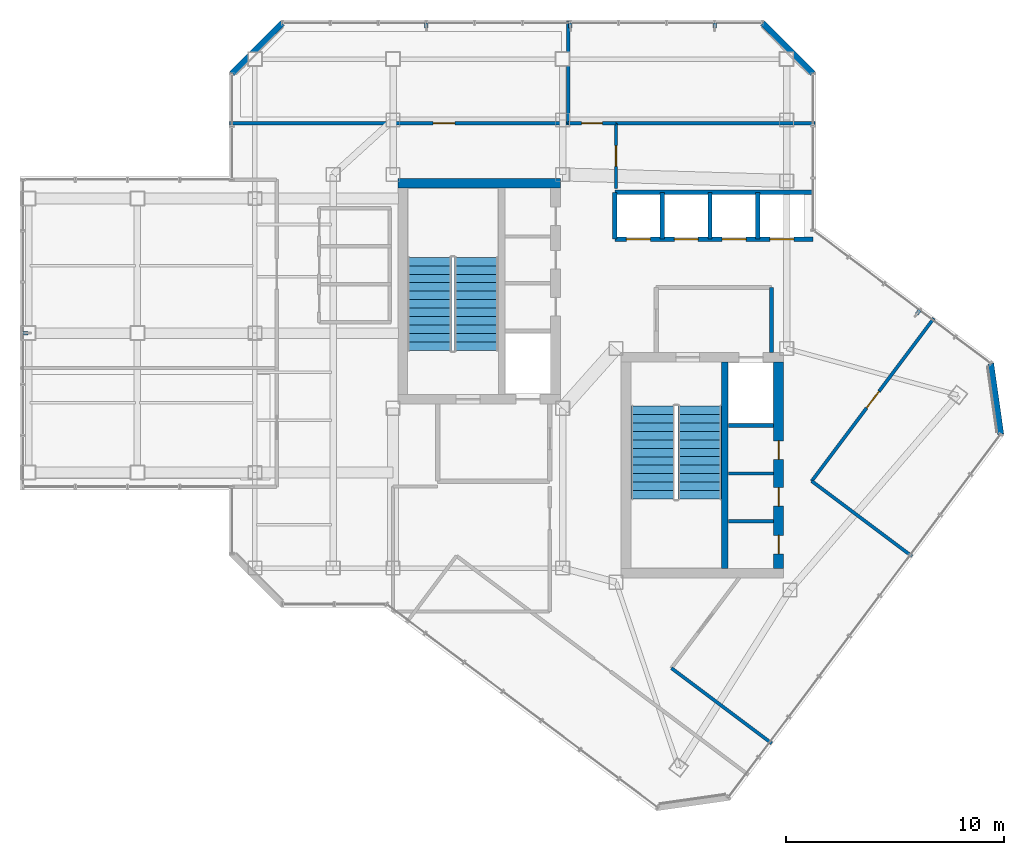
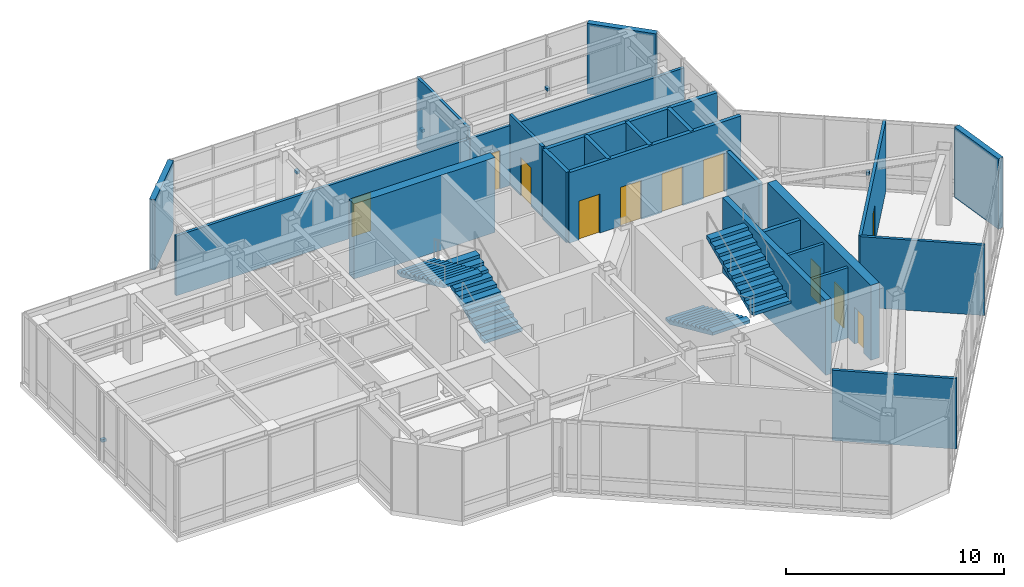
# One storey, part 19 of 22: 24 walls, 11 doors, 5 discrete accessories, 4 stair flights, 11 openings, 2 elements without a shape of their own.
"""IFC4 building model written with IfcOpenShell, lengths in metres."""

from ifc_helpers import new_model, si_unit, direction, frame, frame_2d, origin, origin_2d, place, context, subcontext, project, spatial, polyline, rectangle, outline, extrude, material, layer, layer_set, type_object, element, fill, aggregate, save


model = new_model("IFC4")

# Units and contexts
model_context = context("Model", 3, precision=1e-05, world=origin(), true_north=direction((0.0, 1.0)))
body_context = subcontext(model_context, "Body", "Model", "MODEL_VIEW")
ifc_project = project(units=[si_unit("LENGTHUNIT", "METRE"), si_unit("AREAUNIT", "SQUARE_METRE"), si_unit("VOLUMEUNIT", "CUBIC_METRE"), si_unit("PLANEANGLEUNIT", "RADIAN"), si_unit("MASSUNIT", "GRAM", prefix="KILO")], contexts=[model_context])

# Site, building, storey
site_placement = place(None, origin())
site = spatial("IfcSite", under=ifc_project, at=site_placement, CompositionType="ELEMENT")
building_placement = place(site_placement, origin())
building = spatial("IfcBuilding", under=site, at=building_placement, Name="Hatsunagi Terrace Concourse", CompositionType="ELEMENT")
storey_placement = place(building_placement, frame((0.0, 0.0, 261.75)))
storey = spatial("IfcBuildingStorey", under=building, at=storey_placement, Name="L69", CompositionType="ELEMENT", Elevation=261.75)

# Wall
ifc_material_1 = material(Name="Concrete Fc42", Category="concrete")
ifc_layer_1 = layer(ifc_material_1, 0.449951171875)
ifc_layer_set_1 = layer_set([ifc_layer_1], Name="CoreShearWall_Fc42_450")
wall_type_1 = type_object("IfcWallType", Name="CoreShearWall_Fc42_450", PredefinedType="SHEAR", material=ifc_layer_set_1)
wall_1_placement = place(storey_placement, frame((25.77001953125, 42.89501953125, 0.0), z_axis=(0.0, 0.0, 1.0), x_axis=(1.0, 0.0, 0.0)))
element("IfcWall", 1, at=wall_1_placement, inside=storey, type_object=wall_type_1, Name="Core A Shear Wall N L69", PredefinedType="SHEAR", context=body_context, shape_type="SweptSolid", body=[
    extrude(rectangle(XDim=7.47998046875, YDim=0.449951171875, at=frame_2d((3.739990234375, 0.0))), origin(), (0.0, 0.0, 1.0), 4.199951171875),
])

# Wall, openings, doors
wall_2_placement = place(storey_placement, frame((43.27490234375, 25.18994140625, 0.0), z_axis=(0.0, 0.0, 1.0), x_axis=(0.0, 1.0, 0.0)))
wall_2 = element("IfcWall", 2, at=wall_2_placement, inside=storey, type_object=wall_type_1, Name="Core B Shear Wall E L69", PredefinedType="SHEAR", context=body_context, shape_type="SweptSolid", body=[
    extrude(rectangle(XDim=9.47998046875, YDim=0.449951171875, at=frame_2d((4.739990234375, 0.0))), origin(), (0.0, 0.0, 1.0), 4.199951171875),
])
opening_1_placement = place(wall_2_placement, frame((0.659912109375, 0.0, 0.0)))
opening_1 = element("IfcOpeningElement", 3, at=opening_1_placement, cuts=wall_2, Name="Opening DR-085", PredefinedType="OPENING", context=body_context, shape_type="SweptSolid", body=[
    extrude(rectangle(XDim=0.85009765625, YDim=2.080078125, at=frame_2d((0.425048828125, 1.0400390625))), frame((0.0, 0.23486328125, 0.0), z_axis=(0.0, -1.0, 0.0), x_axis=(1.0, 0.0, 0.0)), (0.0, 0.0, 1.0), 0.469970703125),
])
opening_2_placement = place(wall_2_placement, frame((2.860107421875, 0.0, 0.0)))
opening_2 = element("IfcOpeningElement", 4, at=opening_2_placement, cuts=wall_2, Name="Opening DR-085", PredefinedType="OPENING", context=body_context, shape_type="SweptSolid", body=[
    extrude(rectangle(XDim=0.85009765625, YDim=2.080078125, at=frame_2d((0.425048828125, 1.0400390625))), frame((0.0, 0.23486328125, 0.0), z_axis=(0.0, -1.0, 0.0), x_axis=(1.0, 0.0, 0.0)), (0.0, 0.0, 1.0), 0.469970703125),
])
opening_3_placement = place(wall_2_placement, frame((5.010009765625, 0.0, 0.0)))
opening_3 = element("IfcOpeningElement", 5, at=opening_3_placement, cuts=wall_2, Name="Opening DR-085", PredefinedType="OPENING", context=body_context, shape_type="SweptSolid", body=[
    extrude(rectangle(XDim=0.85009765625, YDim=2.080078125, at=frame_2d((0.425048828125, 1.0400390625))), frame((0.0, 0.23486328125, 0.0), z_axis=(0.0, -1.0, 0.0), x_axis=(1.0, 0.0, 0.0)), (0.0, 0.0, 1.0), 0.469970703125),
])
ifc_material_2 = material(Name="Painted steel", Category="steel")
door_type_1 = type_object("IfcDoorType", Name="RiserAccessDoor_EI60_850", OperationType="NOTDEFINED", PredefinedType="DOOR", material=ifc_material_2)
door_1_placement = place(opening_1_placement, origin())
door_1 = element("IfcDoor", 6, at=door_1_placement, inside=storey, type_object=door_type_1, Name="Core B Riser Door L69-1", OperationType="SINGLE_SWING_RIGHT", OverallHeight=2.080078125, OverallWidth=0.85009765625, PredefinedType="DOOR", context=body_context, shape_type="SweptSolid", body=[
    extrude(rectangle(XDim=0.85009765625, YDim=2.080078125, at=frame_2d((0.425048828125, 1.0400390625))), frame((0.0, 0.02490234375, 0.0), z_axis=(0.0, -1.0, 0.0), x_axis=(1.0, 0.0, 0.0)), (0.0, 0.0, 1.0), 0.050048828125),
])
fill(opening_1, door_1)
door_2_placement = place(opening_2_placement, origin())
door_2 = element("IfcDoor", 7, at=door_2_placement, inside=storey, type_object=door_type_1, Name="Core B Riser Door L69-2", OperationType="SINGLE_SWING_RIGHT", OverallHeight=2.080078125, OverallWidth=0.85009765625, PredefinedType="DOOR", context=body_context, shape_type="SweptSolid", body=[
    extrude(rectangle(XDim=0.85009765625, YDim=2.080078125, at=frame_2d((0.425048828125, 1.0400390625))), frame((0.0, 0.02490234375, 0.0), z_axis=(0.0, -1.0, 0.0), x_axis=(1.0, 0.0, 0.0)), (0.0, 0.0, 1.0), 0.050048828125),
])
fill(opening_2, door_2)
door_3_placement = place(opening_3_placement, origin())
door_3 = element("IfcDoor", 8, at=door_3_placement, inside=storey, type_object=door_type_1, Name="Core B Riser Door L69-3", OperationType="SINGLE_SWING_RIGHT", OverallHeight=2.080078125, OverallWidth=0.85009765625, PredefinedType="DOOR", context=body_context, shape_type="SweptSolid", body=[
    extrude(rectangle(XDim=0.85009765625, YDim=2.080078125, at=frame_2d((0.425048828125, 1.0400390625))), frame((0.0, 0.02490234375, 0.0), z_axis=(0.0, -1.0, 0.0), x_axis=(1.0, 0.0, 0.0)), (0.0, 0.0, 1.0), 0.050048828125),
])
fill(opening_3, door_3)

# Walls
ifc_material_3 = material(Name="Concrete Fc48", Category="concrete")
ifc_layer_2 = layer(ifc_material_3, 0.300048828125)
ifc_layer_set_2 = layer_set([ifc_layer_2], Name="CoreStairDivider_Fc48_300")
wall_type_2 = type_object("IfcWallType", Name="CoreStairDivider_Fc48_300", PredefinedType="SHEAR", material=ifc_layer_set_2)
wall_3_placement = place(storey_placement, frame((40.81005859375, 25.18994140625, 0.0), z_axis=(0.0, 0.0, 1.0), x_axis=(0.0, 1.0, 0.0)))
element("IfcWall", 9, at=wall_3_placement, inside=storey, type_object=wall_type_2, Name="Core B Shear Wall D L69", PredefinedType="SHEAR", context=body_context, shape_type="SweptSolid", body=[
    extrude(rectangle(XDim=9.47998046875, YDim=0.300048828125, at=frame_2d((4.739990234375, 0.0))), origin(), (0.0, 0.0, 1.0), 4.199951171875),
])
ifc_material_4 = material(Name="Acoustic mineral board", Category="gypsum")
ifc_layer_3 = layer(ifc_material_4, 0.14990234375)
ifc_layer_set_3 = layer_set([ifc_layer_3], Name="PartitionWall_EI60_150")
wall_type_3 = type_object("IfcWallType", Name="PartitionWall_EI60_150", PredefinedType="PARTITIONING", material=ifc_layer_set_3)
for number, where, z_axis, x_axis, name in (
    (10, (40.969970703125, 27.35009765625, 0.0), (0.0, 0.0, 1.0), (1.0, 0.0, 0.0), "Interior Partition IW-L69-005"),
    (11, (40.969970703125, 29.550048828125, 0.0), (0.0, 0.0, 1.0), (1.0, 0.0, 0.0), "Interior Partition IW-L69-006"),
):
    element("IfcWall", number, at=place(storey_placement, frame(where, z_axis=z_axis, x_axis=x_axis)), inside=storey, type_object=wall_type_3, Name=name, PredefinedType="PARTITIONING", context=body_context, shape_type="SweptSolid", body=[
        extrude(rectangle(XDim=2.080078125, YDim=0.14990234375, at=frame_2d((1.0400390625, 0.0))), origin(), (0.0, 0.0, 1.0), 3.93994140625),
    ])
wall_4_placement = place(storey_placement, frame((35.800048828125, 45.64990234375, 0.0), z_axis=(0.0, 0.0, 1.0), x_axis=(1.0, 0.0, 0.0)))
element("IfcWall", 12, at=wall_4_placement, inside=storey, type_object=wall_type_3, Name="Interior Partition IW-L69-031", PredefinedType="PARTITIONING", context=body_context, shape_type="SweptSolid", body=[
    extrude(rectangle(XDim=9.159912109375, YDim=0.14990234375, at=frame_2d((4.580078125, 0.0))), origin(), (0.0, 0.0, 1.0), 3.35693359375),
])

# Wall, opening, door
wall_5_placement = place(storey_placement, frame((35.800048828125, 42.64990234375, 0.0), z_axis=(0.0, 0.0, 1.0), x_axis=(0.0, 1.0, 0.0)))
wall_5 = element("IfcWall", 13, at=wall_5_placement, inside=storey, type_object=wall_type_3, Name="Interior Partition IW-L69-032", PredefinedType="PARTITIONING", context=body_context, shape_type="SweptSolid", body=[
    extrude(rectangle(XDim=3.0, YDim=0.14990234375, at=frame_2d((1.5, 0.0))), origin(), (0.0, 0.0, 1.0), 3.93994140625),
])
opening_4_placement = place(wall_5_placement, frame((1.02490234375, 0.0, 0.0)))
opening_4 = element("IfcOpeningElement", 14, at=opening_4_placement, cuts=wall_5, Name="Opening DR-095", PredefinedType="OPENING", context=body_context, shape_type="SweptSolid", body=[
    extrude(rectangle(XDim=0.949951171875, YDim=2.14990234375, at=frame_2d((0.47509765625, 1.074951171875))), frame((0.0, 0.0849609375, 0.0), z_axis=(0.0, -1.0, 0.0), x_axis=(1.0, 0.0, 0.0)), (0.0, 0.0, 1.0), 0.169921875),
])
ifc_material_5 = material(Name="Hardwood timber", Category="wood")
door_type_2 = type_object("IfcDoorType", Name="InteriorSuiteDoor_EI30_950", OperationType="NOTDEFINED", PredefinedType="DOOR", material=ifc_material_5)
door_4_placement = place(opening_4_placement, origin())
door_4 = element("IfcDoor", 15, at=door_4_placement, inside=storey, type_object=door_type_2, Name="Wine Tasting Salon L69-SLNE Door", OperationType="SINGLE_SWING_RIGHT", OverallHeight=2.14990234375, OverallWidth=0.949951171875, PredefinedType="DOOR", context=body_context, shape_type="SweptSolid", body=[
    extrude(rectangle(XDim=0.949951171875, YDim=2.14990234375, at=frame_2d((0.47509765625, 1.074951171875))), frame((0.0, 0.02490234375, 0.0), z_axis=(0.0, -1.0, 0.0), x_axis=(1.0, 0.0, 0.0)), (0.0, 0.0, 1.0), 0.050048828125),
])
fill(opening_4, door_4)

wall_6_placement = place(storey_placement, frame((18.0400390625, 45.64990234375, 0.0), z_axis=(0.0, 0.0, 1.0), x_axis=(1.0, 0.0, 0.0)))
wall_6 = element("IfcWall", 16, at=wall_6_placement, inside=storey, type_object=wall_type_3, Name="Interior Partition IW-L69-040", PredefinedType="PARTITIONING", context=body_context, shape_type="SweptSolid", body=[
    extrude(rectangle(XDim=15.56005859375, YDim=0.14990234375, at=frame_2d((7.780029296875, 0.0))), origin(), (0.0, 0.0, 1.0), 3.35693359375),
])
opening_5_placement = place(wall_6_placement, frame((9.35009765625, 0.0, 0.0)))
opening_5 = element("IfcOpeningElement", 17, at=opening_5_placement, cuts=wall_6, Name="Opening DR-100S", PredefinedType="OPENING", context=body_context, shape_type="SweptSolid", body=[
    extrude(rectangle(XDim=1.0, YDim=2.14990234375, at=frame_2d((0.5, 1.074951171875))), frame((0.0, 0.0849609375, 0.0), z_axis=(0.0, -1.0, 0.0), x_axis=(1.0, 0.0, 0.0)), (0.0, 0.0, 1.0), 0.169921875),
])
ifc_material_6 = material(Name="Hardwood timber", Category="wood")
door_type_3 = type_object("IfcDoorType", Name="SuiteDoor_EI30_1000", OperationType="NOTDEFINED", PredefinedType="DOOR", material=ifc_material_6)
door_5_placement = place(opening_5_placement, origin())
door_5 = element("IfcDoor", 18, at=door_5_placement, inside=storey, type_object=door_type_3, Name="Boardroom L69-BRD69 Door", OperationType="SINGLE_SWING_RIGHT", OverallHeight=2.14990234375, OverallWidth=1.0, PredefinedType="DOOR", context=body_context, shape_type="SweptSolid", body=[
    extrude(rectangle(XDim=1.0, YDim=2.14990234375, at=frame_2d((0.5, 1.074951171875))), frame((0.0, 0.02490234375, 0.0), z_axis=(0.0, -1.0, 0.0), x_axis=(1.0, 0.0, 0.0)), (0.0, 0.0, 1.0), 0.050048828125),
])
fill(opening_5, door_5)

# Wall
wall_7_placement = place(storey_placement, frame((33.60009765625, 45.64990234375, 0.0), z_axis=(0.0, 0.0, 1.0), x_axis=(0.0, 1.0, 0.0)))
element("IfcWall", 19, at=wall_7_placement, inside=storey, type_object=wall_type_3, Name="Interior Partition IW-L69-041", PredefinedType="PARTITIONING", context=body_context, shape_type="SweptSolid", body=[
    extrude(rectangle(XDim=4.710205078125, YDim=0.14990234375, at=frame_2d((2.35498046875, 0.0))), origin(), (0.0, 0.0, 1.0), 3.93994140625),
])

# Wall, opening, door
wall_8_placement = place(storey_placement, frame((33.60009765625, 45.64990234375, 0.0), z_axis=(0.0, 0.0, 1.0), x_axis=(1.0, 0.0, 0.0)))
wall_8 = element("IfcWall", 20, at=wall_8_placement, inside=storey, type_object=wall_type_3, Name="Interior Partition IW-L69-042", PredefinedType="PARTITIONING", context=body_context, shape_type="SweptSolid", body=[
    extrude(rectangle(XDim=2.199951171875, YDim=0.14990234375, at=frame_2d((1.10009765625, 0.0))), origin(), (0.0, 0.0, 1.0), 3.35693359375),
])
opening_6_placement = place(wall_8_placement, frame((0.625, 0.0, 0.0)))
opening_6 = element("IfcOpeningElement", 21, at=opening_6_placement, cuts=wall_8, Name="Opening DR-095", PredefinedType="OPENING", context=body_context, shape_type="SweptSolid", body=[
    extrude(rectangle(XDim=0.949951171875, YDim=2.14990234375, at=frame_2d((0.47509765625, 1.074951171875))), frame((0.0, 0.0849609375, 0.0), z_axis=(0.0, -1.0, 0.0), x_axis=(1.0, 0.0, 0.0)), (0.0, 0.0, 1.0), 0.169921875),
])
door_6_placement = place(opening_6_placement, origin())
door_6 = element("IfcDoor", 22, at=door_6_placement, inside=storey, type_object=door_type_2, Name="Executive Office L69-VIP69N Door", OperationType="SINGLE_SWING_RIGHT", OverallHeight=2.14990234375, OverallWidth=0.949951171875, PredefinedType="DOOR", context=body_context, shape_type="SweptSolid", body=[
    extrude(rectangle(XDim=0.949951171875, YDim=2.14990234375, at=frame_2d((0.47509765625, 1.074951171875))), frame((0.0, 0.02490234375, 0.0), z_axis=(0.0, -1.0, 0.0), x_axis=(1.0, 0.0, 0.0)), (0.0, 0.0, 1.0), 0.050048828125),
])
fill(opening_6, door_6)

# Walls
for number, where, z_axis, x_axis, name in (
    (23, (38.35009765625, 20.60009765625, 0.0), (0.0, 0.0, 1.0), (0.79998982729, -0.600013563374, 0.0), "Interior Partition IW-L69-043"),
    (24, (44.800048828125, 29.199951171875, 0.0), (0.0, 0.0, 1.0), (0.79998982729, -0.600013563374, 0.0), "Interior Partition IW-L69-044"),
):
    element("IfcWall", number, at=place(storey_placement, frame(where, z_axis=z_axis, x_axis=x_axis)), inside=storey, type_object=wall_type_3, Name=name, PredefinedType="PARTITIONING", context=body_context, shape_type="SweptSolid", body=[
        extrude(rectangle(XDim=5.760009765625, YDim=0.14990234375, at=frame_2d((2.8798828125, 0.0))), origin(), (0.0, 0.0, 1.0), 3.93994140625),
    ])

# Wall, opening, door
wall_9_placement = place(storey_placement, frame((44.800048828125, 29.199951171875, 0.0), z_axis=(0.0, 0.0, 1.0), x_axis=(0.599995826652, 0.800003129994, 0.0)))
wall_9 = element("IfcWall", 25, at=wall_9_placement, inside=storey, type_object=wall_type_3, Name="Interior Partition IW-L69-046", PredefinedType="PARTITIONING", context=body_context, shape_type="SweptSolid", body=[
    extrude(rectangle(XDim=9.360107421875, YDim=0.14990234375, at=frame_2d((4.68017578125, 0.0))), origin(), (0.0, 0.0, 1.0), 3.93994140625),
])
opening_7_placement = place(wall_9_placement, frame((4.205078125, 0.0, 0.0)))
opening_7 = element("IfcOpeningElement", 26, at=opening_7_placement, cuts=wall_9, Name="Opening DR-095", PredefinedType="OPENING", context=body_context, shape_type="SweptSolid", body=[
    extrude(rectangle(XDim=0.949951171875, YDim=2.14990234375, at=frame_2d((0.47509765625, 1.074951171875))), frame((0.0, 0.0849609375, 0.0), z_axis=(0.0, -1.0, 0.0), x_axis=(1.0, 0.0, 0.0)), (0.0, 0.0, 1.0), 0.169921875),
])
door_7_placement = place(opening_7_placement, origin())
door_7 = element("IfcDoor", 27, at=door_7_placement, inside=storey, type_object=door_type_2, Name="Catering Pantry L69-CAT69 Door", OperationType="SINGLE_SWING_LEFT", OverallHeight=2.14990234375, OverallWidth=0.949951171875, PredefinedType="DOOR", context=body_context, shape_type="SweptSolid", body=[
    extrude(rectangle(XDim=0.949951171875, YDim=2.14990234375, at=frame_2d((0.47509765625, 1.074951171875))), frame((0.0, 0.02490234375, 0.0), z_axis=(0.0, -1.0, 0.0), x_axis=(1.0, 0.0, 0.0)), (0.0, 0.0, 1.0), 0.050048828125),
])
fill(opening_7, door_7)

# Walls
ifc_material_7 = material(Name="Acoustic mineral board", Category="gypsum")
ifc_layer_4 = layer(ifc_material_7, 0.199951171875)
ifc_layer_set_4 = layer_set([ifc_layer_4], Name="ShaftWall_EI120_200")
wall_type_4 = type_object("IfcWallType", Name="ShaftWall_EI120_200", PredefinedType="STANDARD", material=ifc_layer_set_4)
wall_10_placement = place(storey_placement, frame((40.969970703125, 31.760009765625, 0.0), z_axis=(0.0, 0.0, 1.0), x_axis=(1.0, 0.0, 0.0)))
element("IfcWall", 28, at=wall_10_placement, inside=storey, type_object=wall_type_4, Name="Interior Partition IW-L69-004", PredefinedType="STANDARD", context=body_context, shape_type="SweptSolid", body=[
    extrude(rectangle(XDim=2.080078125, YDim=0.199951171875, at=frame_2d((1.0400390625, 0.0))), origin(), (0.0, 0.0, 1.0), 3.93994140625),
])
wall_11_placement = place(storey_placement, frame((42.949951171875, 35.1201171875, 0.0), z_axis=(0.0, 0.0, 1.0), x_axis=(0.0, 1.0, 0.0)))
element("IfcWall", 29, at=wall_11_placement, inside=storey, type_object=wall_type_4, Name="Interior Partition IW-L69-011", PredefinedType="STANDARD", context=body_context, shape_type="SweptSolid", body=[
    extrude(rectangle(XDim=2.97998046875, YDim=0.199951171875, at=frame_2d((1.489990234375, 0.0))), origin(), (0.0, 0.0, 1.0), 3.93994140625),
])
wall_12_placement = place(storey_placement, frame((35.75, 42.47998046875, 0.0), z_axis=(0.0, 0.0, 1.0), x_axis=(1.0, 0.0, 0.0)))
element("IfcWall", 30, at=wall_12_placement, inside=storey, type_object=wall_type_4, Name="Interior Partition IW-L69-013", PredefinedType="STANDARD", context=body_context, shape_type="SweptSolid", body=[
    extrude(rectangle(XDim=9.110107421875, YDim=0.199951171875, at=frame_2d((4.55517578125, 0.0))), origin(), (0.0, 0.0, 1.0), 3.93994140625),
])
for number, where, z_axis, x_axis, name in (
    (31, (35.75, 40.320068359375, 0.0), (0.0, 0.0, 1.0), (0.0, 1.0, 0.0), "Interior Partition IW-L69-014"),
    (32, (37.919921875, 40.320068359375, 0.0), (0.0, 0.0, 1.0), (0.0, 1.0, 0.0), "Interior Partition IW-L69-015"),
    (33, (40.1201171875, 40.320068359375, 0.0), (0.0, 0.0, 1.0), (0.0, 1.0, 0.0), "Interior Partition IW-L69-016"),
    (34, (42.320068359375, 40.320068359375, 0.0), (0.0, 0.0, 1.0), (0.0, 1.0, 0.0), "Interior Partition IW-L69-017"),
):
    element("IfcWall", number, at=place(storey_placement, frame(where, z_axis=z_axis, x_axis=x_axis)), inside=storey, type_object=wall_type_4, Name=name, PredefinedType="STANDARD", context=body_context, shape_type="SweptSolid", body=[
        extrude(rectangle(XDim=2.159912109375, YDim=0.199951171875, at=frame_2d((1.080078125, 0.0))), origin(), (0.0, 0.0, 1.0), 3.93994140625),
    ])

# Wall, openings, doors
wall_13_placement = place(storey_placement, frame((35.75, 40.320068359375, 0.0), z_axis=(0.0, 0.0, 1.0), x_axis=(1.0, 0.0, 0.0)))
wall_13 = element("IfcWall", 35, at=wall_13_placement, inside=storey, type_object=wall_type_4, Name="Interior Partition IW-L69-018", PredefinedType="STANDARD", context=body_context, shape_type="SweptSolid", body=[
    extrude(rectangle(XDim=9.110107421875, YDim=0.199951171875, at=frame_2d((4.55517578125, 0.0))), origin(), (0.0, 0.0, 1.0), 3.93994140625),
])
opening_8_placement = place(wall_13_placement, frame((0.530029296875, 0.0, 0.0)))
opening_8 = element("IfcOpeningElement", 36, at=opening_8_placement, cuts=wall_13, Name="Opening LD-04", PredefinedType="OPENING", context=body_context, shape_type="SweptSolid", body=[
    extrude(rectangle(XDim=1.10009765625, YDim=2.179931640625, at=frame_2d((0.550048828125, 1.08984375))), frame((0.0, 0.10986328125, 0.0), z_axis=(0.0, -1.0, 0.0), x_axis=(1.0, 0.0, 0.0)), (0.0, 0.0, 1.0), 0.219970703125),
])
opening_9_placement = place(wall_13_placement, frame((2.72998046875, 0.0, 0.0)))
opening_9 = element("IfcOpeningElement", 37, at=opening_9_placement, cuts=wall_13, Name="Opening LD-04", PredefinedType="OPENING", context=body_context, shape_type="SweptSolid", body=[
    extrude(rectangle(XDim=1.10009765625, YDim=2.179931640625, at=frame_2d((0.550048828125, 1.08984375))), frame((0.0, 0.10986328125, 0.0), z_axis=(0.0, -1.0, 0.0), x_axis=(1.0, 0.0, 0.0)), (0.0, 0.0, 1.0), 0.219970703125),
])
opening_10_placement = place(wall_13_placement, frame((4.929931640625, 0.0, 0.0)))
opening_10 = element("IfcOpeningElement", 38, at=opening_10_placement, cuts=wall_13, Name="Opening LD-04", PredefinedType="OPENING", context=body_context, shape_type="SweptSolid", body=[
    extrude(rectangle(XDim=1.10009765625, YDim=2.179931640625, at=frame_2d((0.550048828125, 1.08984375))), frame((0.0, 0.10986328125, 0.0), z_axis=(0.0, -1.0, 0.0), x_axis=(1.0, 0.0, 0.0)), (0.0, 0.0, 1.0), 0.219970703125),
])
opening_11_placement = place(wall_13_placement, frame((7.1298828125, 0.0, 0.0)))
opening_11 = element("IfcOpeningElement", 39, at=opening_11_placement, cuts=wall_13, Name="Opening LD-04", PredefinedType="OPENING", context=body_context, shape_type="SweptSolid", body=[
    extrude(rectangle(XDim=1.10009765625, YDim=2.179931640625, at=frame_2d((0.550048828125, 1.08984375))), frame((0.0, 0.10986328125, 0.0), z_axis=(0.0, -1.0, 0.0), x_axis=(1.0, 0.0, 0.0)), (0.0, 0.0, 1.0), 0.219970703125),
])
ifc_material_8 = material(Name="Stainless steel", Category="steel")
door_type_4 = type_object("IfcDoorType", Name="LiftLandingDoor_LD04", OperationType="SLIDING_TO_RIGHT", PredefinedType="USERDEFINED", material=ifc_material_8)
door_8_placement = place(opening_8_placement, origin())
door_8 = element("IfcDoor", 40, at=door_8_placement, inside=storey, type_object=door_type_4, Name="Lift landing door PL-05 L69", ObjectType="SLIDING_LANDING_DOOR", OperationType="SLIDING_TO_RIGHT", OverallHeight=2.179931640625, OverallWidth=1.10009765625, PredefinedType="USERDEFINED", context=body_context, shape_type="SweptSolid", body=[
    extrude(rectangle(XDim=1.10009765625, YDim=2.179931640625, at=frame_2d((0.550048828125, 1.08984375))), frame((0.0, 0.02490234375, 0.0), z_axis=(0.0, -1.0, 0.0), x_axis=(1.0, 0.0, 0.0)), (0.0, 0.0, 1.0), 0.050048828125),
])
fill(opening_8, door_8)
door_9_placement = place(opening_9_placement, origin())
door_9 = element("IfcDoor", 41, at=door_9_placement, inside=storey, type_object=door_type_4, Name="Lift landing door PL-06 L69", ObjectType="SLIDING_LANDING_DOOR", OperationType="SLIDING_TO_RIGHT", OverallHeight=2.179931640625, OverallWidth=1.10009765625, PredefinedType="USERDEFINED", context=body_context, shape_type="SweptSolid", body=[
    extrude(rectangle(XDim=1.10009765625, YDim=2.179931640625, at=frame_2d((0.550048828125, 1.08984375))), frame((0.0, 0.02490234375, 0.0), z_axis=(0.0, -1.0, 0.0), x_axis=(1.0, 0.0, 0.0)), (0.0, 0.0, 1.0), 0.050048828125),
])
fill(opening_9, door_9)
door_10_placement = place(opening_10_placement, origin())
door_10 = element("IfcDoor", 42, at=door_10_placement, inside=storey, type_object=door_type_4, Name="Lift landing door PL-07 L69", ObjectType="SLIDING_LANDING_DOOR", OperationType="SLIDING_TO_RIGHT", OverallHeight=2.179931640625, OverallWidth=1.10009765625, PredefinedType="USERDEFINED", context=body_context, shape_type="SweptSolid", body=[
    extrude(rectangle(XDim=1.10009765625, YDim=2.179931640625, at=frame_2d((0.550048828125, 1.08984375))), frame((0.0, 0.02490234375, 0.0), z_axis=(0.0, -1.0, 0.0), x_axis=(1.0, 0.0, 0.0)), (0.0, 0.0, 1.0), 0.050048828125),
])
fill(opening_10, door_10)
door_11_placement = place(opening_11_placement, origin())
door_11 = element("IfcDoor", 43, at=door_11_placement, inside=storey, type_object=door_type_4, Name="Lift landing door PL-08 L69", ObjectType="SLIDING_LANDING_DOOR", OperationType="SLIDING_TO_RIGHT", OverallHeight=2.179931640625, OverallWidth=1.10009765625, PredefinedType="USERDEFINED", context=body_context, shape_type="SweptSolid", body=[
    extrude(rectangle(XDim=1.10009765625, YDim=2.179931640625, at=frame_2d((0.550048828125, 1.08984375))), frame((0.0, 0.02490234375, 0.0), z_axis=(0.0, -1.0, 0.0), x_axis=(1.0, 0.0, 0.0)), (0.0, 0.0, 1.0), 0.050048828125),
])
fill(opening_11, door_11)

# Walls
ifc_material_9 = material(Name="Autoclaved Lightweight Concrete and Terracotta Cladding", Category="masonry")
ifc_layer_5 = layer(ifc_material_9, 0.280029296875)
ifc_layer_set_5 = layer_set([ifc_layer_5], Name="TerracottaSpandrelWall_280")
wall_type_5 = type_object("IfcWallType", Name="TerracottaSpandrelWall_280", PredefinedType="STANDARD", material=ifc_layer_set_5)
for number, where, z_axis, x_axis, name in (
    (44, (18.139892578125, 47.94189453125, 0.0), (0.0, 0.0, 1.0), (0.707106781187, 0.707106781187, 0.0), "Exterior Spandrel Wall EW-L69-02"),
    (45, (42.5419921875, 50.260009765625, 0.0), (0.0, 0.0, 1.0), (0.707106781187, -0.707106781187, 0.0), "Exterior Spandrel Wall EW-L69-04"),
):
    element("IfcWall", number, at=place(storey_placement, frame(where, z_axis=z_axis, x_axis=x_axis)), inside=storey, type_object=wall_type_5, Name=name, PredefinedType="STANDARD", context=body_context, shape_type="SweptSolid", body=[
        extrude(rectangle(XDim=3.2783203125, YDim=0.280029296875, at=frame_2d((1.63916015625, 0.0))), origin(), (0.0, 0.0, 1.0), 3.93994140625),
    ])
wall_14_placement = place(storey_placement, frame((53.030029296875, 34.60302734375, 0.0), z_axis=(0.0, 0.0, 1.0), x_axis=(0.141212810973, -0.989979263428, 0.0)))
element("IfcWall", 46, at=wall_14_placement, inside=storey, type_object=wall_type_5, Name="Exterior Spandrel Wall EW-L69-07", PredefinedType="STANDARD", context=body_context, shape_type="SweptSolid", body=[
    extrude(rectangle(XDim=3.278076171875, YDim=0.280029296875, at=frame_2d((1.63916015625, 0.0))), origin(), (0.0, 0.0, 1.0), 3.93994140625),
])

# Stair, stair flights
ifc_material_10 = material(Name="Concrete Fc42", Category="concrete")
stair_type = type_object("IfcStairType", Name="DoglegExitStair_Tower2000_24R_175", PredefinedType="HALF_TURN_STAIR", material=ifc_material_10)
stair_1_placement = place(storey_placement, origin())
stair_1 = element("IfcStair", 47, at=stair_1_placement, inside=storey, type_object=stair_type, Name="L69 Core A Protected Exit Stair ST-A", PredefinedType="HALF_TURN_STAIR")
ifc_material_11 = material(Name="Concrete Fc42", Category="concrete")
stair_flight_type = type_object("IfcStairFlightType", Name="DoglegStairFlight_Tower2000_24R_175", PredefinedType="STRAIGHT", material=ifc_material_11)
stair_flight_1_placement = place(storey_placement, frame((29.3798828125, 35.199951171875, 0.0), z_axis=(0.0, 0.0, 1.0), x_axis=(0.0, 1.0, 0.0)))
stair_flight_1 = element("IfcStairFlight", 48, at=stair_flight_1_placement, type_object=stair_flight_type, Name="ST-A flight 1", NumberOfRisers=12, NumberOfTreads=11, PredefinedType="STRAIGHT", RiserHeight=0.175, TreadLength=0.39, context=body_context, shape_type="SweptSolid", body=[
    extrude(outline(polyline([(0.0, 0.0), (0.0, 0.175048828125), (0.389892578125, 0.175048828125), (0.389892578125, 0.35009765625), (0.780029296875, 0.35009765625), (0.780029296875, 0.52490234375), (1.169921875, 0.52490234375), (1.169921875, 0.699951171875), (1.56005859375, 0.699951171875), (1.56005859375, 0.875), (1.949951171875, 0.875), (1.949951171875, 1.050048828125), (2.340087890625, 1.050048828125), (2.340087890625, 1.22509765625), (2.72998046875, 1.22509765625), (2.72998046875, 1.39990234375), (3.1201171875, 1.39990234375), (3.1201171875, 1.574951171875), (3.510009765625, 1.574951171875), (3.510009765625, 1.75), (3.89990234375, 1.75), (3.89990234375, 1.925048828125), (4.2900390625, 1.925048828125), (4.2900390625, 2.10009765625), (4.2900390625, 1.7607421875), (0.3662109375, 0.0), (0.0, 0.0)])), frame((0.0, 1.0, 0.0), z_axis=(0.0, -1.0, 0.0), x_axis=(1.0, 0.0, 0.0)), (0.0, 0.0, 1.0), 2.0),
])
stair_flight_2_placement = place(storey_placement, frame((27.22998046875, 39.489990234375, 2.10009765625), z_axis=(0.0, 0.0, 1.0), x_axis=(0.0, -1.0, 0.0)))
stair_flight_2 = element("IfcStairFlight", 49, at=stair_flight_2_placement, type_object=stair_flight_type, Name="ST-A flight 2", NumberOfRisers=12, NumberOfTreads=11, PredefinedType="STRAIGHT", RiserHeight=0.175, TreadLength=0.39, context=body_context, shape_type="SweptSolid", body=[
    extrude(outline(polyline([(0.0, 0.0), (0.0, 0.175048828125), (0.389892578125, 0.175048828125), (0.389892578125, 0.35009765625), (0.780029296875, 0.35009765625), (0.780029296875, 0.52490234375), (1.169921875, 0.52490234375), (1.169921875, 0.699951171875), (1.56005859375, 0.699951171875), (1.56005859375, 0.875), (1.949951171875, 0.875), (1.949951171875, 1.050048828125), (2.340087890625, 1.050048828125), (2.340087890625, 1.22509765625), (2.72998046875, 1.22509765625), (2.72998046875, 1.39990234375), (3.1201171875, 1.39990234375), (3.1201171875, 1.574951171875), (3.510009765625, 1.574951171875), (3.510009765625, 1.75), (3.89990234375, 1.75), (3.89990234375, 1.925048828125), (4.2900390625, 1.925048828125), (4.2900390625, 2.10009765625), (4.2900390625, 1.7607421875), (0.3662109375, 0.0), (0.0, 0.0)])), frame((0.0, 1.0, 0.0), z_axis=(0.0, -1.0, 0.0), x_axis=(1.0, 0.0, 0.0)), (0.0, 0.0, 1.0), 2.0),
])
aggregate(stair_1, [stair_flight_1, stair_flight_2])

stair_2_placement = place(storey_placement, origin())
stair_2 = element("IfcStair", 50, at=stair_2_placement, inside=storey, type_object=stair_type, Name="L69 Core B Protected Exit Stair ST-B", PredefinedType="HALF_TURN_STAIR")
stair_flight_3_placement = place(storey_placement, frame((37.5, 32.659912109375, 0.0), z_axis=(0.0, 0.0, 1.0), x_axis=(0.0, -1.0, 0.0)))
stair_flight_3 = element("IfcStairFlight", 51, at=stair_flight_3_placement, type_object=stair_flight_type, Name="ST-B flight 1", NumberOfRisers=12, NumberOfTreads=11, PredefinedType="STRAIGHT", RiserHeight=0.175, TreadLength=0.39, context=body_context, shape_type="SweptSolid", body=[
    extrude(outline(polyline([(0.0, 0.0), (0.0, 0.175048828125), (0.389892578125, 0.175048828125), (0.389892578125, 0.35009765625), (0.780029296875, 0.35009765625), (0.780029296875, 0.52490234375), (1.169921875, 0.52490234375), (1.169921875, 0.699951171875), (1.56005859375, 0.699951171875), (1.56005859375, 0.875), (1.949951171875, 0.875), (1.949951171875, 1.050048828125), (2.340087890625, 1.050048828125), (2.340087890625, 1.22509765625), (2.72998046875, 1.22509765625), (2.72998046875, 1.39990234375), (3.1201171875, 1.39990234375), (3.1201171875, 1.574951171875), (3.510009765625, 1.574951171875), (3.510009765625, 1.75), (3.89990234375, 1.75), (3.89990234375, 1.925048828125), (4.2900390625, 1.925048828125), (4.2900390625, 2.10009765625), (4.2900390625, 1.7607421875), (0.3662109375, 0.0), (0.0, 0.0)])), frame((0.0, 1.0, 0.0), z_axis=(0.0, -1.0, 0.0), x_axis=(1.0, 0.0, 0.0)), (0.0, 0.0, 1.0), 2.0),
])
stair_flight_4_placement = place(storey_placement, frame((39.64990234375, 28.3701171875, 2.10009765625), z_axis=(0.0, 0.0, 1.0), x_axis=(0.0, 1.0, 0.0)))
stair_flight_4 = element("IfcStairFlight", 52, at=stair_flight_4_placement, type_object=stair_flight_type, Name="ST-B flight 2", NumberOfRisers=12, NumberOfTreads=11, PredefinedType="STRAIGHT", RiserHeight=0.175, TreadLength=0.39, context=body_context, shape_type="SweptSolid", body=[
    extrude(outline(polyline([(0.0, 0.0), (0.0, 0.175048828125), (0.389892578125, 0.175048828125), (0.389892578125, 0.35009765625), (0.780029296875, 0.35009765625), (0.780029296875, 0.52490234375), (1.169921875, 0.52490234375), (1.169921875, 0.699951171875), (1.56005859375, 0.699951171875), (1.56005859375, 0.875), (1.949951171875, 0.875), (1.949951171875, 1.050048828125), (2.340087890625, 1.050048828125), (2.340087890625, 1.22509765625), (2.72998046875, 1.22509765625), (2.72998046875, 1.39990234375), (3.1201171875, 1.39990234375), (3.1201171875, 1.574951171875), (3.510009765625, 1.574951171875), (3.510009765625, 1.75), (3.89990234375, 1.75), (3.89990234375, 1.925048828125), (4.2900390625, 1.925048828125), (4.2900390625, 2.10009765625), (4.2900390625, 1.7607421875), (0.3662109375, 0.0), (0.0, 0.0)])), frame((0.0, 1.0, 0.0), z_axis=(0.0, -1.0, 0.0), x_axis=(1.0, 0.0, 0.0)), (0.0, 0.0, 1.0), 2.0),
])
aggregate(stair_2, [stair_flight_3, stair_flight_4])

# Discrete accessories
ifc_material_12 = material(Name="Stainless Steel SUS316 Bracket", Category="steel")
discrete_accessory_type = type_object("IfcDiscreteAccessoryType", Name="FacadeScreenSupportBracket_SS", PredefinedType="BRACKET", material=ifc_material_12)
for number, where, z_axis, x_axis, name in (
    (53, (27.0830078125, 50.14990234375, 0.97021484375), (0.0, 0.0, 1.0), (1.0, 0.0, 0.0), "Terracotta Screen Bracket BRK-01"),
    (54, (33.7080078125, 50.14990234375, 0.97021484375), (0.0, 0.0, 1.0), (1.0, 0.0, 0.0), "Terracotta Screen Bracket BRK-01"),
    (55, (40.333984375, 50.14990234375, 0.97021484375), (0.0, 0.0, 1.0), (1.0, 0.0, 0.0), "Terracotta Screen Bracket BRK-01"),
    (56, (49.696044921875, 36.966064453125, 0.97021484375), (0.0, 0.0, 1.0), (0.800023013105, -0.599969314634, 0.0), "Terracotta Screen Bracket BRK-01"),
    (57, (8.64990234375, 36.0, 0.97021484375), (0.0, 0.0, 1.0), (0.0, 1.0, 0.0), "Terracotta Screen Bracket BRK-01"),
):
    element("IfcDiscreteAccessory", number, at=place(storey_placement, frame(where, z_axis=z_axis, x_axis=x_axis)), inside=storey, type_object=discrete_accessory_type, Name=name, PredefinedType="BRACKET", context=body_context, shape_type="SweptSolid", body=[
        extrude(rectangle(XDim=0.159912109375, YDim=0.239990234375, at=origin_2d()), origin(), (0.0, 0.0, 1.0), 0.159912109375),
    ])

save(model, "model.ifc")
